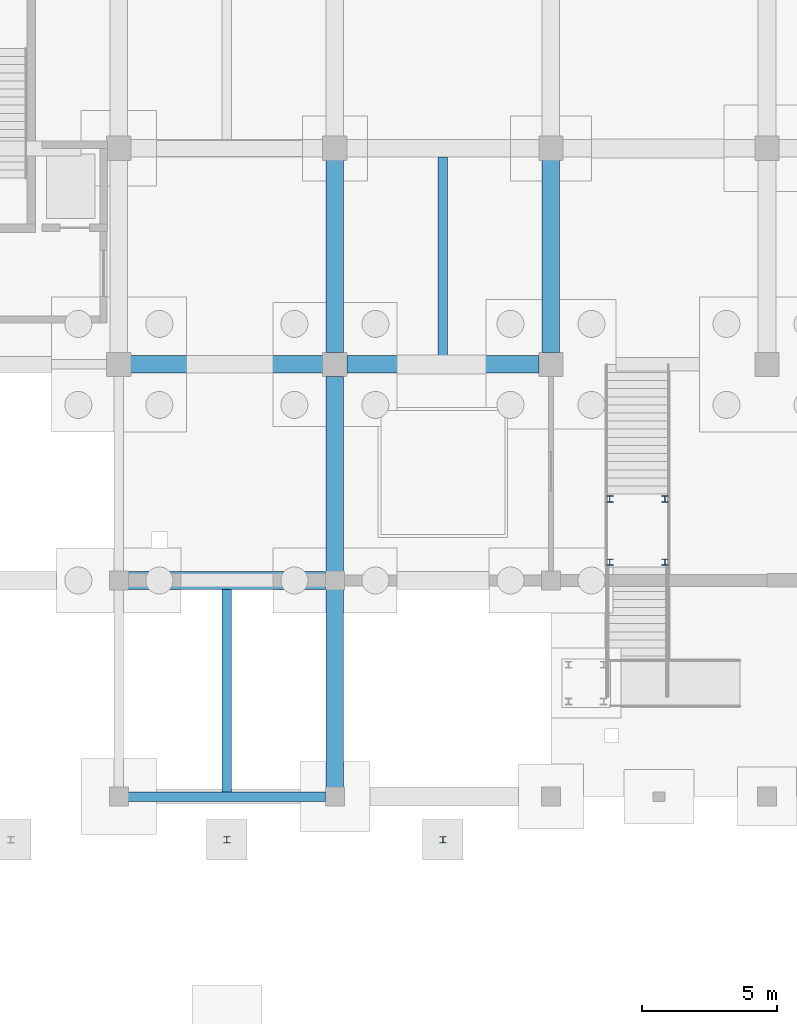
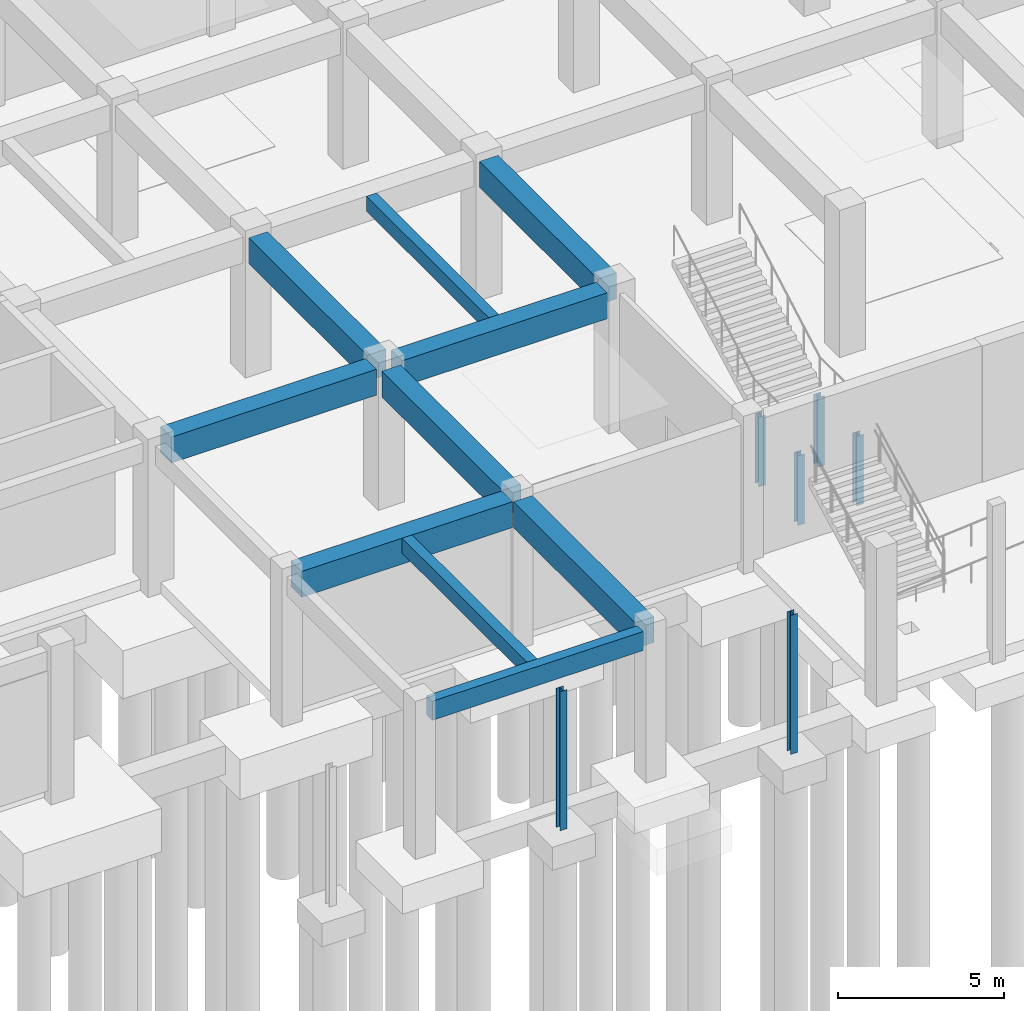
# One storey, part 14 of 45: 10 beams, 6 members.
"""IFC4 building model written with IfcOpenShell, lengths in metres."""

from ifc_helpers import new_model, si_unit, direction, frame, origin, origin_2d, place, context, subcontext, project, spatial, rectangle, i_section, extrude, material, material_profile, profile_set, type_object, element, save


model = new_model("IFC4")

# Units and contexts
model_context = context("Model", 3, precision=1e-05, world=origin(), true_north=direction((0.0, 1.0)))
body_context = subcontext(model_context, "Body", "Model", "MODEL_VIEW")
ifc_project = project(units=[si_unit("LENGTHUNIT", "METRE"), si_unit("AREAUNIT", "SQUARE_METRE"), si_unit("VOLUMEUNIT", "CUBIC_METRE"), si_unit("PLANEANGLEUNIT", "RADIAN"), si_unit("MASSUNIT", "GRAM", prefix="KILO")], contexts=[model_context])

# Site, building, storey
site_placement = place(None, origin())
site = spatial("IfcSite", under=ifc_project, at=site_placement, CompositionType="ELEMENT")
building_placement = place(site_placement, origin())
building = spatial("IfcBuilding", under=site, at=building_placement, Name="Kenh Van Central Station", CompositionType="ELEMENT")
storey_placement = place(building_placement, frame((0.0, 0.0, -5.39990234375)))
storey = spatial("IfcBuildingStorey", under=building, at=storey_placement, Name="B1", CompositionType="ELEMENT", Elevation=-5.39990234375)

# Beams
ifc_material_1 = material(Name="Concrete C40/50", Category="concrete")
ifc_material_profile_1 = material_profile(ifc_material_1, rectangle(XDim=0.64990234375, YDim=0.949951171875, at=origin_2d()), Name="RC 650x950")
ifc_profile_set_1 = profile_set([ifc_material_profile_1], Name="Concrete C40/50")
beam_type_1 = type_object("IfcBeamType", Name="BM-RC-650x950", PredefinedType="BEAM", material=ifc_profile_set_1)
beam_1_placement = place(storey_placement, frame((56.340087890625, 8.0, 4.5849609375), z_axis=(1.0, 0.0, 0.0), x_axis=(0.0, 1.0, 0.0)))
element("IfcBeam", 1, at=beam_1_placement, inside=storey, type_object=beam_type_1, Name="B1 beam 0009", PredefinedType="BEAM", context=body_context, shape_type="SweptSolid", body=[
    extrude(rectangle(XDim=0.64990234375, YDim=0.949951171875, at=origin_2d()), origin(), (0.0, 0.0, 1.0), 7.31982421875),
])
for number, where, z_axis, x_axis, name in (
    (2, (56.43994140625, 16.0, 4.625), (1.0, 0.0, 0.0), (0.0, 1.0, 0.0), "B1 beam 0023"),
    (3, (64.43994140625, 16.0, 4.625), (1.0, 0.0, 0.0), (0.0, 1.0, 0.0), "B1 beam 0024"),
):
    element("IfcBeam", number, at=place(storey_placement, frame(where, z_axis=z_axis, x_axis=x_axis)), inside=storey, type_object=beam_type_1, Name=name, PredefinedType="BEAM", context=body_context, shape_type="SweptSolid", body=[
        extrude(rectangle(XDim=0.64990234375, YDim=0.949951171875, at=origin_2d()), origin(), (0.0, 0.0, 1.0), 7.1201171875),
    ])
beam_2_placement = place(storey_placement, frame((64.0, 0.340087890625, 4.5849609375), z_axis=(0.0, 1.0, 0.0), x_axis=(-1.0, 0.0, 0.0)))
element("IfcBeam", 4, at=beam_2_placement, inside=storey, type_object=beam_type_1, Name="B1 beam 0198", PredefinedType="BEAM", context=body_context, shape_type="SweptSolid", body=[
    extrude(rectangle(XDim=0.64990234375, YDim=0.949951171875, at=origin_2d()), origin(), (0.0, 0.0, 1.0), 7.31982421875),
])
beam_3_placement = place(storey_placement, frame((64.0, 8.340087890625, 4.5849609375), z_axis=(0.0, 1.0, 0.0), x_axis=(-1.0, 0.0, 0.0)))
element("IfcBeam", 5, at=beam_3_placement, inside=storey, type_object=beam_type_1, Name="B1 beam 0199", PredefinedType="BEAM", context=body_context, shape_type="SweptSolid", body=[
    extrude(rectangle(XDim=0.64990234375, YDim=0.949951171875, at=origin_2d()), origin(), (0.0, 0.0, 1.0), 7.219970703125),
])
for number, where, z_axis, x_axis, name in (
    (6, (64.0, 16.43994140625, 4.625), (0.0, 1.0, 0.0), (-1.0, 0.0, 0.0), "B1 beam 0200"),
    (7, (72.0, 16.43994140625, 4.625), (0.0, 1.0, 0.0), (-1.0, 0.0, 0.0), "B1 beam 0203"),
):
    element("IfcBeam", number, at=place(storey_placement, frame(where, z_axis=z_axis, x_axis=x_axis)), inside=storey, type_object=beam_type_1, Name=name, PredefinedType="BEAM", context=body_context, shape_type="SweptSolid", body=[
        extrude(rectangle(XDim=0.64990234375, YDim=0.949951171875, at=origin_2d()), origin(), (0.0, 0.0, 1.0), 7.1201171875),
    ])
ifc_material_2 = material(Name="Concrete C35/45", Category="concrete")
ifc_material_profile_2 = material_profile(ifc_material_2, rectangle(XDim=0.35009765625, YDim=0.550048828125, at=origin_2d()), Name="RC 350x550")
ifc_profile_set_2 = profile_set([ifc_material_profile_2], Name="Concrete C35/45")
beam_type_2 = type_object("IfcBeamType", Name="JST-RC-350x550", PredefinedType="JOIST", material=ifc_profile_set_2)
beam_4_placement = place(storey_placement, frame((60.0, 0.175048828125, 4.784912109375), z_axis=(0.0, 1.0, 0.0), x_axis=(-1.0, 0.0, 0.0)))
element("IfcBeam", 8, at=beam_4_placement, inside=storey, type_object=beam_type_2, Name="B1 floor joist 0325", PredefinedType="JOIST", context=body_context, shape_type="SweptSolid", body=[
    extrude(rectangle(XDim=0.35009765625, YDim=0.550048828125, at=origin_2d()), origin(), (0.0, 0.0, 1.0), 7.5),
])
beam_5_placement = place(storey_placement, frame((68.0, 16.324951171875, 4.824951171875), z_axis=(0.0, 1.0, 0.0), x_axis=(-1.0, 0.0, 0.0)))
element("IfcBeam", 9, at=beam_5_placement, inside=storey, type_object=beam_type_2, Name="B1 floor joist 0327", PredefinedType="JOIST", context=body_context, shape_type="SweptSolid", body=[
    extrude(rectangle(XDim=0.35009765625, YDim=0.550048828125, at=origin_2d()), origin(), (0.0, 0.0, 1.0), 7.35009765625),
])

# Members
ifc_material_3 = material(Name="Steel S355", Category="steel")
ifc_material_profile_3 = material_profile(ifc_material_3, i_section(OverallWidth=0.239990234375, OverallDepth=0.22998046875, WebThickness=0.007568359375, FlangeThickness=0.011962890625, FilletRadius=0.02099609375, at=origin_2d()), Name="HEA 240")
ifc_profile_set_3 = profile_set([ifc_material_profile_3], Name="Steel S355")
member_type = type_object("IfcMemberType", Name="MEM-ROOF-POST240", PredefinedType="POST", material=ifc_profile_set_3)
for number, where, z_axis, x_axis, name in (
    (10, (60.0, -1.60009765625, 0.0), (0.0, 0.0, 1.0), (1.0, 0.0, 0.0), "B1 forecourt apron support post 12"),
    (11, (68.0, -1.60009765625, 0.0), (0.0, 0.0, 1.0), (1.0, 0.0, 0.0), "B1 forecourt apron support post 13"),
):
    element("IfcMember", number, at=place(storey_placement, frame(where, z_axis=z_axis, x_axis=x_axis)), inside=storey, type_object=member_type, Name=name, PredefinedType="POST", context=body_context, shape_type="SweptSolid", body=[
        extrude(i_section(OverallWidth=0.239990234375, OverallDepth=0.22998046875, WebThickness=0.007568359375, FlangeThickness=0.011962890625, FilletRadius=0.02099609375, at=origin_2d()), origin(), (0.0, 0.0, 1.0), 5.099853515625),
    ])
for number, where, z_axis, x_axis, name in (
    (12, (76.219970703125, 8.679931640625, 0.0), (0.0, 0.0, 1.0), (1.0, 0.0, 0.0), "Metro Forecourt West Amphitheatre Stair mid-landing support post 11"),
    (13, (74.179931640625, 8.679931640625, 0.0), (0.0, 0.0, 1.0), (1.0, 0.0, 0.0), "Metro Forecourt West Amphitheatre Stair mid-landing support post 12"),
    (14, (76.219970703125, 11.02001953125, 0.0), (0.0, 0.0, 1.0), (1.0, 0.0, 0.0), "Metro Forecourt West Amphitheatre Stair mid-landing support post 21"),
    (15, (74.179931640625, 11.02001953125, 0.0), (0.0, 0.0, 1.0), (1.0, 0.0, 0.0), "Metro Forecourt West Amphitheatre Stair mid-landing support post 22"),
):
    element("IfcMember", number, at=place(storey_placement, frame(where, z_axis=z_axis, x_axis=x_axis)), inside=storey, type_object=member_type, Name=name, PredefinedType="POST", context=body_context, shape_type="SweptSolid", body=[
        extrude(i_section(OverallWidth=0.239990234375, OverallDepth=0.22998046875, WebThickness=0.007568359375, FlangeThickness=0.011962890625, FilletRadius=0.02099609375, at=origin_2d()), origin(), (0.0, 0.0, 1.0), 2.5498046875),
    ])

# Beam
ifc_material_profile_4 = material_profile(ifc_material_2, rectangle(XDim=0.35009765625, YDim=0.699951171875, at=origin_2d()), Name="RC 350x700")
ifc_profile_set_4 = profile_set([ifc_material_profile_4], Name="Concrete C35/45")
beam_type_3 = type_object("IfcBeamType", Name="SPD-RC-350x700", PredefinedType="SPANDREL", material=ifc_profile_set_4)
beam_6_placement = place(storey_placement, frame((56.340087890625, 0.0, 4.7099609375), z_axis=(1.0, 0.0, 0.0), x_axis=(0.0, 1.0, 0.0)))
element("IfcBeam", 16, at=beam_6_placement, inside=storey, type_object=beam_type_3, Name="B1 beam 0001", PredefinedType="SPANDREL", context=body_context, shape_type="SweptSolid", body=[
    extrude(rectangle(XDim=0.35009765625, YDim=0.699951171875, at=origin_2d()), origin(), (0.0, 0.0, 1.0), 7.31982421875),
])

save(model, "model.ifc")
